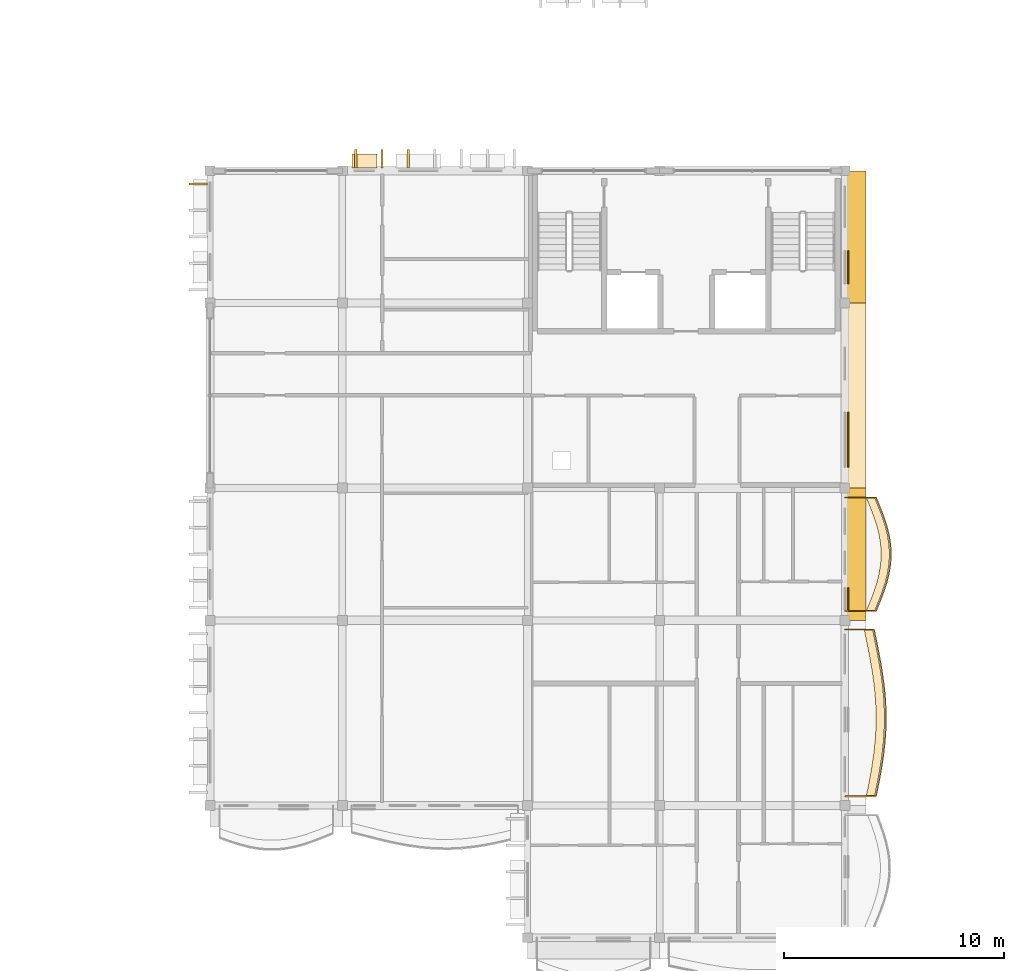
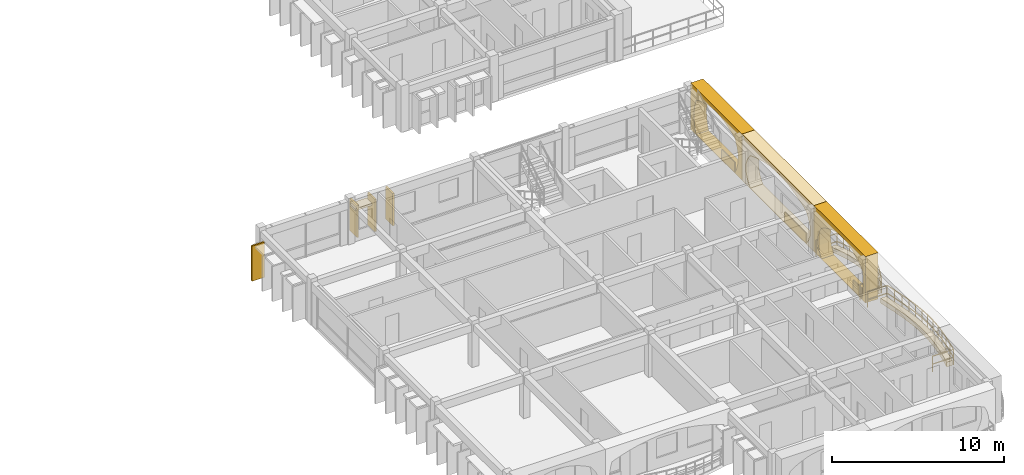
# One storey, part 65 of 68: 13 coverings, 2 railings.
"""IFC4 building model written with IfcOpenShell, lengths in metres."""

from ifc_helpers import new_model, si_unit, direction, frame, origin, origin_2d, place, context, subcontext, project, spatial, polyline, rectangle, outline, extrude, material, layer, layer_set, type_object, element, save


model = new_model("IFC4")

# Units and contexts
model_context = context("Model", 3, precision=1e-05, world=origin(), true_north=direction((0.0, 1.0)))
body_context = subcontext(model_context, "Body", "Model", "MODEL_VIEW")
ifc_project = project(units=[si_unit("LENGTHUNIT", "METRE"), si_unit("AREAUNIT", "SQUARE_METRE"), si_unit("VOLUMEUNIT", "CUBIC_METRE"), si_unit("PLANEANGLEUNIT", "RADIAN"), si_unit("MASSUNIT", "GRAM", prefix="KILO"), si_unit("THERMODYNAMICTEMPERATUREUNIT", "KELVIN")], contexts=[model_context])

# Site, building, storey
site_placement = place(None, origin())
site = spatial("IfcSite", under=ifc_project, at=site_placement, CompositionType="ELEMENT")
building_placement = place(site_placement, origin())
building = spatial("IfcBuilding", under=site, at=building_placement, Name="Thalorik Housing Commons", CompositionType="ELEMENT")
storey_placement = place(building_placement, frame((0.0, 0.0, 24.60009765625)))
storey = spatial("IfcBuildingStorey", under=building, at=storey_placement, Name="L07", CompositionType="ELEMENT", Elevation=24.60009765625)

# Coverings
ifc_material_1 = material(Name="Cobalt blue glazed ceramic facade tile panel", Category="masonry")
ifc_layer_1 = layer(ifc_material_1, 0.06005859375, Name="Cobalt blue glazed ceramic facade tile panel", Category="masonry")
ifc_layer_set_1 = layer_set([ifc_layer_1], Name="Cobalt blue glazed ceramic facade tile panel")
covering_type_1 = type_object("IfcCoveringType", Name="ARC-CLD-BLU-60", PredefinedType="CLADDING", material=ifc_layer_set_1)
covering_1_placement = place(storey_placement, frame((166.952392578125, 67.6298828125, 0.0498046875), z_axis=(0.0, 0.0, 1.0), x_axis=(0.0, 1.0, 0.0)))
element("IfcCovering", 1, at=covering_1_placement, inside=storey, type_object=covering_type_1, Name="L07 De Stijl Recessed Window Spandrel 5043", PredefinedType="CLADDING", context=body_context, shape_type="SweptSolid", body=[
    extrude(rectangle(XDim=1.5, YDim=0.06005859375, at=origin_2d()), origin(), (0.0, 0.0, 1.0), 0.699951171875),
])
ifc_material_2 = material(Name="Precast concrete C40/50", Category="concrete")
ifc_layer_2 = layer(ifc_material_2, 0.85009765625, Name="Precast concrete C40/50", Category="concrete")
ifc_layer_set_2 = layer_set([ifc_layer_2], Name="Precast concrete C40/50")
covering_type_2 = type_object("IfcCoveringType", Name="ARC-CLD-CUSH-850", PredefinedType="CLADDING", material=ifc_layer_set_2)
covering_2_placement = place(storey_placement, frame((167.342529296875, 54.60009765625, 0.0), z_axis=(0.0, 0.0, 1.0), x_axis=(0.0, 1.0, 0.0)))
element("IfcCovering", 2, at=covering_2_placement, inside=storey, type_object=covering_type_2, Name="L07 White Precast Curved Cushion Bay Frame 5038", PredefinedType="CLADDING", context=body_context, shape_type="SweptSolid", body=[
    extrude(outline(polyline([(-3.0, 0.0), (3.0, 0.0), (3.0, 3.300048828125), (-3.0, 3.300048828125), (-3.0, 0.0)]), holes=[polyline([(2.1474609375, 0.02490234375), (2.37109375, 0.387451171875), (2.50537109375, 0.75), (2.550048828125, 1.112548828125), (2.50537109375, 1.47509765625), (2.37109375, 1.83740234375), (2.1474609375, 2.199951171875), (1.753662109375, 2.455810546875), (1.35986328125, 2.656494140625), (0.96630859375, 2.819091796875), (0.572509765625, 2.940185546875), (0.1787109375, 3.014892578125), (-0.215087890625, 3.0400390625), (-0.60888671875, 3.014892578125), (-1.002685546875, 2.940185546875), (-1.396240234375, 2.819091796875), (-1.7900390625, 2.656494140625), (-2.183837890625, 2.455810546875), (-2.57763671875, 2.199951171875), (-2.666748046875, 1.83740234375), (-2.72021484375, 1.47509765625), (-2.738037109375, 1.112548828125), (-2.72021484375, 0.75), (-2.666748046875, 0.387451171875), (-2.57763671875, 0.02490234375), (2.1474609375, 0.02490234375)])]), frame((0.0, 0.425048828125, 0.0), z_axis=(0.0, -1.0, 0.0), x_axis=(1.0, 0.0, 0.0)), (0.0, 0.0, 1.0), 0.85009765625),
])
covering_3_placement = place(storey_placement, frame((167.342529296875, 61.800048828125, 0.0), z_axis=(0.0, 0.0, 1.0), x_axis=(0.0, 1.0, 0.0)))
element("IfcCovering", 3, at=covering_3_placement, inside=storey, type_object=covering_type_2, Name="L07 White Precast Curved Cushion Bay Frame 5040", PredefinedType="CLADDING", context=body_context, shape_type="SweptSolid", body=[
    extrude(outline(polyline([(-4.199951171875, 0.0), (4.199951171875, 0.0), (4.199951171875, 3.300048828125), (-4.199951171875, 3.300048828125), (-4.199951171875, 0.0)]), holes=[polyline([(3.239990234375, 0.02490234375), (3.523193359375, 0.410888671875), (3.693359375, 0.796630859375), (3.75, 1.1826171875), (3.693359375, 1.568359375), (3.523193359375, 1.9541015625), (3.239990234375, 2.340087890625), (2.6953125, 2.552978515625), (2.15087890625, 2.720458984375), (1.606201171875, 2.85595703125), (1.061767578125, 2.956787109375), (0.51708984375, 3.01904296875), (-0.027587890625, 3.0400390625), (-0.572021484375, 3.01904296875), (-1.11669921875, 2.956787109375), (-1.6611328125, 2.85595703125), (-2.205810546875, 2.720458984375), (-2.75048828125, 2.552978515625), (-3.294921875, 2.340087890625), (-3.5478515625, 1.9541015625), (-3.699462890625, 1.568359375), (-3.75, 1.1826171875), (-3.699462890625, 0.796630859375), (-3.5478515625, 0.410888671875), (-3.294921875, 0.02490234375), (3.239990234375, 0.02490234375)])]), frame((0.0, 0.425048828125, 0.0), z_axis=(0.0, -1.0, 0.0), x_axis=(1.0, 0.0, 0.0)), (0.0, 0.0, 1.0), 0.85009765625),
])
covering_4_placement = place(storey_placement, frame((167.342529296875, 69.0, 0.0), z_axis=(0.0, 0.0, 1.0), x_axis=(0.0, 1.0, 0.0)))
element("IfcCovering", 4, at=covering_4_placement, inside=storey, type_object=covering_type_2, Name="L07 White Precast Curved Cushion Bay Frame 5042", PredefinedType="CLADDING", context=body_context, shape_type="SweptSolid", body=[
    extrude(outline(polyline([(-3.0, 0.0), (3.0, 0.0), (3.0, 3.300048828125), (-3.0, 3.300048828125), (-3.0, 0.0)]), holes=[polyline([(2.344970703125, 0.02490234375), (2.4833984375, 0.4326171875), (2.566162109375, 0.840087890625), (2.593994140625, 1.24755859375), (2.566162109375, 1.655029296875), (2.4833984375, 2.0625), (2.344970703125, 2.469970703125), (1.96875, 2.6435546875), (1.592529296875, 2.77978515625), (1.21630859375, 2.89013671875), (0.840087890625, 2.97216796875), (0.463623046875, 3.02294921875), (0.08740234375, 3.0400390625), (-0.288818359375, 3.02294921875), (-0.6650390625, 2.97216796875), (-1.041259765625, 2.89013671875), (-1.41748046875, 2.77978515625), (-1.793701171875, 2.6435546875), (-2.169921875, 2.469970703125), (-2.381103515625, 2.0625), (-2.5078125, 1.655029296875), (-2.550048828125, 1.24755859375), (-2.5078125, 0.840087890625), (-2.381103515625, 0.4326171875), (-2.169921875, 0.02490234375), (2.344970703125, 0.02490234375)])]), frame((0.0, 0.425048828125, 0.0), z_axis=(0.0, -1.0, 0.0), x_axis=(1.0, 0.0, 0.0)), (0.0, 0.0, 1.0), 0.85009765625),
])
ifc_layer_3 = layer(ifc_material_2, 0.85009765625, Name="Precast concrete C40/50", Category="concrete")
ifc_layer_set_3 = layer_set([ifc_layer_3], Name="Precast concrete C40/50")
covering_type_3 = type_object("IfcCoveringType", Name="ARC-CLD-FIN-850", PredefinedType="CLADDING", material=ifc_layer_set_3)
for number, where, z_axis, x_axis, name in (
    (5, (147.0, 72.54248046875, 0.0400390625), (0.0, 0.0, 1.0), (-1.0, 0.0, 0.0), "L07 Courtyard Precast Vertical Brise-Soleil Fin 4990"),
    (6, (145.800048828125, 72.54248046875, 0.0400390625), (0.0, 0.0, 1.0), (-1.0, 0.0, 0.0), "L07 Courtyard Precast Vertical Brise-Soleil Fin 4991"),
    (7, (144.60009765625, 72.54248046875, 0.0400390625), (0.0, 0.0, 1.0), (-1.0, 0.0, 0.0), "L07 Courtyard Precast Vertical Brise-Soleil Fin 4992"),
):
    element("IfcCovering", number, at=place(storey_placement, frame(where, z_axis=z_axis, x_axis=x_axis)), inside=storey, type_object=covering_type_3, Name=name, PredefinedType="CLADDING", context=body_context, shape_type="SweptSolid", body=[
        extrude(rectangle(XDim=0.110107421875, YDim=0.85009765625, at=origin_2d()), origin(), (0.0, 0.0, 1.0), 2.294921875),
    ])
covering_5_placement = place(storey_placement, frame((137.45751953125, 71.39990234375, 0.039794921875), z_axis=(0.0, 0.0, 1.0), x_axis=(0.0, -1.0, 0.0)))
element("IfcCovering", 8, at=covering_5_placement, inside=storey, type_object=covering_type_3, Name="L07 Courtyard Precast Vertical Brise-Soleil Fin 4996", PredefinedType="CLADDING", context=body_context, shape_type="SweptSolid", body=[
    extrude(rectangle(XDim=0.110107421875, YDim=0.85009765625, at=origin_2d()), origin(), (0.0, 0.0, 1.0), 2.4951171875),
])
ifc_layer_4 = layer(ifc_material_2, 0.64990234375, Name="Precast concrete C40/50", Category="concrete")
ifc_layer_set_4 = layer_set([ifc_layer_4], Name="Precast concrete C40/50")
covering_type_4 = type_object("IfcCoveringType", Name="ARC-CLD-HOOD-650", PredefinedType="CLADDING", material=ifc_layer_set_4)
covering_6_placement = place(storey_placement, frame((145.000244140625, 72.4423828125, 1.98974609375), z_axis=(0.0, 0.0, 1.0), x_axis=(-1.0, 0.0, 0.0)))
element("IfcCovering", 9, at=covering_6_placement, inside=storey, type_object=covering_type_4, Name="L07 Courtyard Precast Window Sun-Hood 4995", PredefinedType="CLADDING", context=body_context, shape_type="SweptSolid", body=[
    extrude(rectangle(XDim=1.139892578125, YDim=0.64990234375, at=origin_2d()), origin(), (0.0, 0.0, 1.0), 0.139892578125),
])
ifc_material_3 = material(Name="Terracotta red mineral fibre-cement panel", Category="masonry")
ifc_layer_5 = layer(ifc_material_3, 0.054931640625, Name="Terracotta red mineral fibre-cement panel", Category="masonry")
ifc_layer_set_5 = layer_set([ifc_layer_5], Name="Terracotta red mineral fibre-cement panel")
covering_type_5 = type_object("IfcCoveringType", Name="ARC-CLD-RED-55", PredefinedType="CLADDING", material=ifc_layer_set_5)
covering_7_placement = place(storey_placement, frame((166.949951171875, 59.794921875, 0.0498046875), z_axis=(0.0, 0.0, 1.0), x_axis=(0.0, 1.0, 0.0)))
element("IfcCovering", 10, at=covering_7_placement, inside=storey, type_object=covering_type_5, Name="L07 De Stijl Recessed Window Spandrel 5041", PredefinedType="CLADDING", context=body_context, shape_type="SweptSolid", body=[
    extrude(rectangle(XDim=2.47998046875, YDim=0.054931640625, at=origin_2d()), origin(), (0.0, 0.0, 1.0), 0.699951171875),
])
ifc_material_4 = material(Name="Mineral ochre architectural terracotta panel", Category="masonry")
ifc_layer_6 = layer(ifc_material_4, 0.06494140625, Name="Mineral ochre architectural terracotta panel", Category="masonry")
ifc_layer_set_6 = layer_set([ifc_layer_6], Name="Mineral ochre architectural terracotta panel")
covering_type_6 = type_object("IfcCoveringType", Name="ARC-CLD-YEL-65", PredefinedType="CLADDING", material=ifc_layer_set_6)
covering_8_placement = place(storey_placement, frame((166.955078125, 52.572509765625, 0.0498046875), z_axis=(0.0, 0.0, 1.0), x_axis=(0.0, 1.0, 0.0)))
element("IfcCovering", 11, at=covering_8_placement, inside=storey, type_object=covering_type_6, Name="L07 De Stijl Recessed Window Spandrel 5039", PredefinedType="CLADDING", context=body_context, shape_type="SweptSolid", body=[
    extrude(rectangle(XDim=1.0, YDim=0.06494140625, at=origin_2d()), origin(), (0.0, 0.0, 1.0), 0.699951171875),
])
ifc_material_5 = material(Name="Planted vegetated substrate and terracotta trough", Category="masonry")
ifc_layer_7 = layer(ifc_material_5, 0.340087890625, Name="Planted vegetated substrate and terracotta trough", Category="masonry")
ifc_layer_set_7 = layer_set([ifc_layer_7], Name="Planted vegetated substrate and terracotta trough")
covering_type_7 = type_object("IfcCoveringType", Name="ARC-COV-PLANTER", PredefinedType="USERDEFINED", material=ifc_layer_set_7)
covering_9_placement = place(storey_placement, origin())
element("IfcCovering", 12, at=covering_9_placement, inside=storey, type_object=covering_type_7, Name="L07 Balcony Slab-Edge Planted Trough 5690", ObjectType="PLANTER", PredefinedType="USERDEFINED", context=body_context, shape_type="SweptSolid", body=[
    extrude(outline(polyline([(168.153076171875, 43.6201171875), (168.280517578125, 44.25), (168.395751953125, 44.8798828125), (168.490478515625, 45.510009765625), (168.55908203125, 46.139892578125), (168.5966796875, 46.77001953125), (168.60107421875, 47.39990234375), (168.572021484375, 48.030029296875), (168.511474609375, 48.659912109375), (168.423583984375, 49.2900390625), (168.314453125, 49.919921875), (168.19140625, 50.550048828125), (168.062255859375, 51.179931640625), (167.68212890625, 51.179931640625), (167.811279296875, 50.550048828125), (167.9345703125, 49.919921875), (168.043701171875, 49.2900390625), (168.131591796875, 48.659912109375), (168.19189453125, 48.030029296875), (168.22119140625, 47.39990234375), (168.216796875, 46.77001953125), (168.17919921875, 46.139892578125), (168.110595703125, 45.510009765625), (168.015625, 44.8798828125), (167.900634765625, 44.25), (167.77294921875, 43.6201171875), (168.153076171875, 43.6201171875)])), origin(), (0.0, 0.0, 1.0), 0.33984375),
])
covering_10_placement = place(storey_placement, origin())
element("IfcCovering", 13, at=covering_10_placement, inside=storey, type_object=covering_type_7, Name="L07 Balcony Slab-Edge Planted Trough 5691", ObjectType="PLANTER", PredefinedType="USERDEFINED", context=body_context, shape_type="SweptSolid", body=[
    extrude(outline(polyline([(168.150146484375, 52.02001953125), (168.327880859375, 52.449951171875), (168.491943359375, 52.8798828125), (168.63232421875, 53.31005859375), (168.73974609375, 53.739990234375), (168.80712890625, 54.169921875), (168.830078125, 54.60009765625), (168.80712890625, 55.030029296875), (168.73974609375, 55.4599609375), (168.63232421875, 55.889892578125), (168.491943359375, 56.320068359375), (168.327880859375, 56.75), (168.150146484375, 57.179931640625), (167.770263671875, 57.179931640625), (167.94775390625, 56.75), (168.112060546875, 56.320068359375), (168.25244140625, 55.889892578125), (168.359619140625, 55.4599609375), (168.427001953125, 55.030029296875), (168.449951171875, 54.60009765625), (168.427001953125, 54.169921875), (168.359619140625, 53.739990234375), (168.25244140625, 53.31005859375), (168.112060546875, 52.8798828125), (167.94775390625, 52.449951171875), (167.770263671875, 52.02001953125), (168.150146484375, 52.02001953125)])), origin(), (0.0, 0.0, 1.0), 0.33984375),
])

# Railings
ifc_material_6 = material(Name="Steel S355", Category="steel")
railing_type_1 = type_object("IfcRailingType", Name="ARC-RL-BAL-112", PredefinedType="BALUSTRADE", material=ifc_material_6)
railing_1_placement = place(storey_placement, frame((166.800048828125, 43.6201171875, 0.0)))
element("IfcRailing", 14, at=railing_1_placement, inside=storey, type_object=railing_type_1, Name="L07 Cushion Balcony Guardrail 374", PredefinedType="BALUSTRADE", context=body_context, shape_type="SweptSolid", body=[
    extrude(rectangle(XDim=0.050048828125, YDim=0.050048828125, at=origin_2d()), frame((0.0, 0.0, 1.09521484375), z_axis=(1.0, 0.0, 0.0), x_axis=(0.0, 1.0, 0.0)), (0.0, 0.0, 1.0), 1.4228515625),
    extrude(rectangle(XDim=0.050048828125, YDim=0.050048828125, at=origin_2d()), frame((0.0, 0.0, 0.53515625), z_axis=(1.0, 0.0, 0.0), x_axis=(0.0, 1.0, 0.0)), (0.0, 0.0, 1.0), 1.4228515625),
    extrude(rectangle(XDim=0.050048828125, YDim=0.050048828125, at=origin_2d()), frame((1.4228515625, 0.0, 1.09521484375), z_axis=(0.19867228936, 0.980065978106, 0.0), x_axis=(-0.980065978106, 0.19867228936, 0.0)), (0.0, 0.0, 1.0), 0.642578125),
    extrude(rectangle(XDim=0.050048828125, YDim=0.050048828125, at=origin_2d()), frame((1.4228515625, 0.0, 0.53515625), z_axis=(0.19867228936, 0.980065978106, 0.0), x_axis=(-0.980065978106, 0.19867228936, 0.0)), (0.0, 0.0, 1.0), 0.642578125),
    extrude(rectangle(XDim=0.050048828125, YDim=0.050048828125, at=origin_2d()), frame((1.550537109375, 0.6298828125, 1.09521484375), z_axis=(0.179958985295, 0.983674114538, 0.0), x_axis=(-0.983674114538, 0.179958985295, 0.0)), (0.0, 0.0, 1.0), 0.640380859375),
    extrude(rectangle(XDim=0.050048828125, YDim=0.050048828125, at=origin_2d()), frame((1.550537109375, 0.6298828125, 0.53515625), z_axis=(0.179958985295, 0.983674114538, 0.0), x_axis=(-0.983674114538, 0.179958985295, 0.0)), (0.0, 0.0, 1.0), 0.640380859375),
    extrude(rectangle(XDim=0.050048828125, YDim=0.050048828125, at=origin_2d()), frame((1.665771484375, 1.259765625, 1.09521484375), z_axis=(0.148658949274, 0.988888525973, 0.0), x_axis=(-0.988888525973, 0.148658949274, 0.0)), (0.0, 0.0, 1.0), 0.63720703125),
    extrude(rectangle(XDim=0.050048828125, YDim=0.050048828125, at=origin_2d()), frame((1.665771484375, 1.259765625, 0.53515625), z_axis=(0.148658949274, 0.988888525973, 0.0), x_axis=(-0.988888525973, 0.148658949274, 0.0)), (0.0, 0.0, 1.0), 0.63720703125),
    extrude(rectangle(XDim=0.050048828125, YDim=0.050048828125, at=origin_2d()), frame((1.760498046875, 1.889892578125, 1.09521484375), z_axis=(0.108274423732, 0.994121043518, 0.0), x_axis=(-0.994121043518, 0.108274423732, 0.0)), (0.0, 0.0, 1.0), 0.633544921875),
    extrude(rectangle(XDim=0.050048828125, YDim=0.050048828125, at=origin_2d()), frame((1.760498046875, 1.889892578125, 0.53515625), z_axis=(0.108274423732, 0.994121043518, 0.0), x_axis=(-0.994121043518, 0.108274423732, 0.0)), (0.0, 0.0, 1.0), 0.633544921875),
    extrude(rectangle(XDim=0.050048828125, YDim=0.050048828125, at=origin_2d()), frame((1.8291015625, 2.519775390625, 1.09521484375), z_axis=(0.059560867898, 0.998224675619, 0.0), x_axis=(-0.998224675619, 0.059560867898, 0.0)), (0.0, 0.0, 1.0), 0.63134765625),
    extrude(rectangle(XDim=0.050048828125, YDim=0.050048828125, at=origin_2d()), frame((1.8291015625, 2.519775390625, 0.53515625), z_axis=(0.059560867898, 0.998224675619, 0.0), x_axis=(-0.998224675619, 0.059560867898, 0.0)), (0.0, 0.0, 1.0), 0.63134765625),
    extrude(rectangle(XDim=0.050048828125, YDim=0.050048828125, at=origin_2d()), frame((1.86669921875, 3.14990234375, 1.09521484375), z_axis=(0.006976574396, 0.999975663409, 0.0), x_axis=(-0.999975663409, 0.006976574396, 0.0)), (0.0, 0.0, 1.0), 0.6298828125),
    extrude(rectangle(XDim=0.050048828125, YDim=0.050048828125, at=origin_2d()), frame((1.86669921875, 3.14990234375, 0.53515625), z_axis=(0.006976574396, 0.999975663409, 0.0), x_axis=(-0.999975663409, 0.006976574396, 0.0)), (0.0, 0.0, 1.0), 0.6298828125),
    extrude(rectangle(XDim=0.050048828125, YDim=0.050048828125, at=origin_2d()), frame((1.87109375, 3.77978515625, 1.09521484375), z_axis=(-0.046057232665, 0.99893880259, 0.0), x_axis=(-0.99893880259, -0.046057232665, 0.0)), (0.0, 0.0, 1.0), 0.630859375),
    extrude(rectangle(XDim=0.050048828125, YDim=0.050048828125, at=origin_2d()), frame((1.87109375, 3.77978515625, 0.53515625), z_axis=(-0.046057232665, 0.99893880259, 0.0), x_axis=(-0.99893880259, -0.046057232665, 0.0)), (0.0, 0.0, 1.0), 0.630859375),
    extrude(rectangle(XDim=0.050048828125, YDim=0.050048828125, at=origin_2d()), frame((1.842041015625, 4.409912109375, 1.09521484375), z_axis=(-0.095683000132, 0.995411856211, 0.0), x_axis=(-0.995411856211, -0.095683000132, 0.0)), (0.0, 0.0, 1.0), 0.6328125),
    extrude(rectangle(XDim=0.050048828125, YDim=0.050048828125, at=origin_2d()), frame((1.842041015625, 4.409912109375, 0.53515625), z_axis=(-0.095683000132, 0.995411856211, 0.0), x_axis=(-0.995411856211, -0.095683000132, 0.0)), (0.0, 0.0, 1.0), 0.6328125),
    extrude(rectangle(XDim=0.050048828125, YDim=0.050048828125, at=origin_2d()), frame((1.781494140625, 5.039794921875, 1.09521484375), z_axis=(-0.138143510312, 0.990412222541, 0.0), x_axis=(-0.990412222541, -0.138143510312, 0.0)), (0.0, 0.0, 1.0), 0.63623046875),
    extrude(rectangle(XDim=0.050048828125, YDim=0.050048828125, at=origin_2d()), frame((1.781494140625, 5.039794921875, 0.53515625), z_axis=(-0.138143510312, 0.990412222541, 0.0), x_axis=(-0.990412222541, -0.138143510312, 0.0)), (0.0, 0.0, 1.0), 0.63623046875),
    extrude(rectangle(XDim=0.050048828125, YDim=0.050048828125, at=origin_2d()), frame((1.693603515625, 5.669921875, 1.09521484375), z_axis=(-0.170712569492, 0.985320870893, 0.0), x_axis=(-0.985320870893, -0.170712569492, 0.0)), (0.0, 0.0, 1.0), 0.63916015625),
    extrude(rectangle(XDim=0.050048828125, YDim=0.050048828125, at=origin_2d()), frame((1.693603515625, 5.669921875, 0.53515625), z_axis=(-0.170712569492, 0.985320870893, 0.0), x_axis=(-0.985320870893, -0.170712569492, 0.0)), (0.0, 0.0, 1.0), 0.63916015625),
    extrude(rectangle(XDim=0.050048828125, YDim=0.050048828125, at=origin_2d()), frame((1.58447265625, 6.2998046875, 1.09521484375), z_axis=(-0.192019567641, 0.98139109719, 0.0), x_axis=(-0.98139109719, -0.192019567641, 0.0)), (0.0, 0.0, 1.0), 0.64208984375),
    extrude(rectangle(XDim=0.050048828125, YDim=0.050048828125, at=origin_2d()), frame((1.58447265625, 6.2998046875, 0.53515625), z_axis=(-0.192019567641, 0.98139109719, 0.0), x_axis=(-0.98139109719, -0.192019567641, 0.0)), (0.0, 0.0, 1.0), 0.64208984375),
    extrude(rectangle(XDim=0.050048828125, YDim=0.050048828125, at=origin_2d()), frame((1.461181640625, 6.929931640625, 1.09521484375), z_axis=(-0.200860058517, 0.979619945128, 0.0), x_axis=(-0.979619945128, -0.200860058517, 0.0)), (0.0, 0.0, 1.0), 0.64306640625),
    extrude(rectangle(XDim=0.050048828125, YDim=0.050048828125, at=origin_2d()), frame((1.461181640625, 6.929931640625, 0.53515625), z_axis=(-0.200860058517, 0.979619945128, 0.0), x_axis=(-0.979619945128, -0.200860058517, 0.0)), (0.0, 0.0, 1.0), 0.64306640625),
    extrude(rectangle(XDim=0.050048828125, YDim=0.050048828125, at=origin_2d()), frame((1.33203125, 7.559814453125, 1.09521484375), z_axis=(-1.0, 0.0, 0.0), x_axis=(0.0, -1.0, 0.0)), (0.0, 0.0, 1.0), 1.33203125),
    extrude(rectangle(XDim=0.050048828125, YDim=0.050048828125, at=origin_2d()), frame((1.33203125, 7.559814453125, 0.53515625), z_axis=(-1.0, 0.0, 0.0), x_axis=(0.0, -1.0, 0.0)), (0.0, 0.0, 1.0), 1.33203125),
    extrude(rectangle(XDim=0.0419921875, YDim=0.0419921875, at=origin_2d()), origin(), (0.0, 0.0, 1.0), 1.070068359375),
    extrude(rectangle(XDim=0.0419921875, YDim=0.0419921875, at=origin_2d()), frame((1.4228515625, 0.0, 0.0)), (0.0, 0.0, 1.0), 1.070068359375),
    extrude(rectangle(XDim=0.0419921875, YDim=0.0419921875, at=origin_2d()), frame((1.550537109375, 0.6298828125, 0.0)), (0.0, 0.0, 1.0), 1.070068359375),
    extrude(rectangle(XDim=0.0419921875, YDim=0.0419921875, at=origin_2d()), frame((1.665771484375, 1.259765625, 0.0)), (0.0, 0.0, 1.0), 1.070068359375),
    extrude(rectangle(XDim=0.0419921875, YDim=0.0419921875, at=origin_2d()), frame((1.760498046875, 1.889892578125, 0.0)), (0.0, 0.0, 1.0), 1.070068359375),
    extrude(rectangle(XDim=0.0419921875, YDim=0.0419921875, at=origin_2d()), frame((1.8291015625, 2.519775390625, 0.0)), (0.0, 0.0, 1.0), 1.070068359375),
    extrude(rectangle(XDim=0.0419921875, YDim=0.0419921875, at=origin_2d()), frame((1.86669921875, 3.14990234375, 0.0)), (0.0, 0.0, 1.0), 1.070068359375),
    extrude(rectangle(XDim=0.0419921875, YDim=0.0419921875, at=origin_2d()), frame((1.87109375, 3.77978515625, 0.0)), (0.0, 0.0, 1.0), 1.070068359375),
    extrude(rectangle(XDim=0.0419921875, YDim=0.0419921875, at=origin_2d()), frame((1.842041015625, 4.409912109375, 0.0)), (0.0, 0.0, 1.0), 1.070068359375),
    extrude(rectangle(XDim=0.0419921875, YDim=0.0419921875, at=origin_2d()), frame((1.781494140625, 5.039794921875, 0.0)), (0.0, 0.0, 1.0), 1.070068359375),
    extrude(rectangle(XDim=0.0419921875, YDim=0.0419921875, at=origin_2d()), frame((1.693603515625, 5.669921875, 0.0)), (0.0, 0.0, 1.0), 1.070068359375),
    extrude(rectangle(XDim=0.0419921875, YDim=0.0419921875, at=origin_2d()), frame((1.58447265625, 6.2998046875, 0.0)), (0.0, 0.0, 1.0), 1.070068359375),
    extrude(rectangle(XDim=0.0419921875, YDim=0.0419921875, at=origin_2d()), frame((1.461181640625, 6.929931640625, 0.0)), (0.0, 0.0, 1.0), 1.070068359375),
    extrude(rectangle(XDim=0.0419921875, YDim=0.0419921875, at=origin_2d()), frame((1.33203125, 7.559814453125, 0.0)), (0.0, 0.0, 1.0), 1.070068359375),
    extrude(rectangle(XDim=0.0419921875, YDim=0.0419921875, at=origin_2d()), frame((0.0, 7.559814453125, 0.0)), (0.0, 0.0, 1.0), 1.070068359375),
])
railing_type_2 = type_object("IfcRailingType", Name="ARC-RL-BAL-115", PredefinedType="BALUSTRADE", material=ifc_material_6)
railing_2_placement = place(storey_placement, frame((166.800048828125, 52.02001953125, 0.0)))
element("IfcRailing", 15, at=railing_2_placement, inside=storey, type_object=railing_type_2, Name="L07 Cushion Balcony Guardrail 375", PredefinedType="BALUSTRADE", context=body_context, shape_type="SweptSolid", body=[
    extrude(rectangle(XDim=0.050048828125, YDim=0.050048828125, at=origin_2d()), frame((0.0, 0.0, 1.125), z_axis=(1.0, 0.0, 0.0), x_axis=(0.0, 1.0, 0.0)), (0.0, 0.0, 1.0), 1.420166015625),
    extrude(rectangle(XDim=0.050048828125, YDim=0.050048828125, at=origin_2d()), frame((0.0, 0.0, 0.5498046875), z_axis=(1.0, 0.0, 0.0), x_axis=(0.0, 1.0, 0.0)), (0.0, 0.0, 1.0), 1.420166015625),
    extrude(rectangle(XDim=0.050048828125, YDim=0.050048828125, at=origin_2d()), frame((1.420166015625, 0.0, 1.125), z_axis=(0.381594438416, 0.924329857015, 0.0), x_axis=(-0.924329857015, 0.381594438416, 0.0)), (0.0, 0.0, 1.0), 0.465087890625),
    extrude(rectangle(XDim=0.050048828125, YDim=0.050048828125, at=origin_2d()), frame((1.420166015625, 0.0, 0.5498046875), z_axis=(0.381594438416, 0.924329857015, 0.0), x_axis=(-0.924329857015, 0.381594438416, 0.0)), (0.0, 0.0, 1.0), 0.465087890625),
    extrude(rectangle(XDim=0.050048828125, YDim=0.050048828125, at=origin_2d()), frame((1.59765625, 0.429931640625, 1.125), z_axis=(0.356987736804, 0.934109070597, 0.0), x_axis=(-0.934109070597, 0.356987736804, 0.0)), (0.0, 0.0, 1.0), 0.460205078125),
    extrude(rectangle(XDim=0.050048828125, YDim=0.050048828125, at=origin_2d()), frame((1.59765625, 0.429931640625, 0.5498046875), z_axis=(0.356987736804, 0.934109070597, 0.0), x_axis=(-0.934109070597, 0.356987736804, 0.0)), (0.0, 0.0, 1.0), 0.460205078125),
    extrude(rectangle(XDim=0.050048828125, YDim=0.050048828125, at=origin_2d()), frame((1.761962890625, 0.85986328125, 1.125), z_axis=(0.310232626381, 0.950660674231, 0.0), x_axis=(-0.950660674231, 0.310232626381, 0.0)), (0.0, 0.0, 1.0), 0.452392578125),
    extrude(rectangle(XDim=0.050048828125, YDim=0.050048828125, at=origin_2d()), frame((1.761962890625, 0.85986328125, 0.5498046875), z_axis=(0.310232626381, 0.950660674231, 0.0), x_axis=(-0.950660674231, 0.310232626381, 0.0)), (0.0, 0.0, 1.0), 0.452392578125),
    extrude(rectangle(XDim=0.050048828125, YDim=0.050048828125, at=origin_2d()), frame((1.90234375, 1.2900390625, 1.125), z_axis=(0.242405993997, 0.970174898703, 0.0), x_axis=(-0.970174898703, 0.242405993997, 0.0)), (0.0, 0.0, 1.0), 0.443115234375),
    extrude(rectangle(XDim=0.050048828125, YDim=0.050048828125, at=origin_2d()), frame((1.90234375, 1.2900390625, 0.5498046875), z_axis=(0.242405993997, 0.970174898703, 0.0), x_axis=(-0.970174898703, 0.242405993997, 0.0)), (0.0, 0.0, 1.0), 0.443115234375),
    extrude(rectangle(XDim=0.050048828125, YDim=0.050048828125, at=origin_2d()), frame((2.009765625, 1.719970703125, 1.125), z_axis=(0.154838935067, 0.987939727001, 0.0), x_axis=(-0.987939727001, 0.154838935067, 0.0)), (0.0, 0.0, 1.0), 0.43505859375),
    extrude(rectangle(XDim=0.050048828125, YDim=0.050048828125, at=origin_2d()), frame((2.009765625, 1.719970703125, 0.5498046875), z_axis=(0.154838935067, 0.987939727001, 0.0), x_axis=(-0.987939727001, 0.154838935067, 0.0)), (0.0, 0.0, 1.0), 0.43505859375),
    extrude(rectangle(XDim=0.050048828125, YDim=0.050048828125, at=origin_2d()), frame((2.0771484375, 2.14990234375, 1.125), z_axis=(0.052707564752, 0.998609990245, 0.0), x_axis=(-0.998609990245, 0.052707564752, 0.0)), (0.0, 0.0, 1.0), 0.4306640625),
    extrude(rectangle(XDim=0.050048828125, YDim=0.050048828125, at=origin_2d()), frame((2.0771484375, 2.14990234375, 0.5498046875), z_axis=(0.052707564752, 0.998609990245, 0.0), x_axis=(-0.998609990245, 0.052707564752, 0.0)), (0.0, 0.0, 1.0), 0.4306640625),
    extrude(rectangle(XDim=0.050048828125, YDim=0.050048828125, at=origin_2d()), frame((2.099853515625, 2.580078125, 1.125), z_axis=(-0.052737412006, 0.998608414432, 0.0), x_axis=(-0.998608414432, -0.052737412006, 0.0)), (0.0, 0.0, 1.0), 0.430419921875),
    extrude(rectangle(XDim=0.050048828125, YDim=0.050048828125, at=origin_2d()), frame((2.099853515625, 2.580078125, 0.5498046875), z_axis=(-0.052737412006, 0.998608414432, 0.0), x_axis=(-0.998608414432, -0.052737412006, 0.0)), (0.0, 0.0, 1.0), 0.430419921875),
    extrude(rectangle(XDim=0.050048828125, YDim=0.050048828125, at=origin_2d()), frame((2.0771484375, 3.010009765625, 1.125), z_axis=(-0.154838935067, 0.987939727001, 0.0), x_axis=(-0.987939727001, -0.154838935067, 0.0)), (0.0, 0.0, 1.0), 0.43505859375),
    extrude(rectangle(XDim=0.050048828125, YDim=0.050048828125, at=origin_2d()), frame((2.0771484375, 3.010009765625, 0.5498046875), z_axis=(-0.154838935067, 0.987939727001, 0.0), x_axis=(-0.987939727001, -0.154838935067, 0.0)), (0.0, 0.0, 1.0), 0.43505859375),
    extrude(rectangle(XDim=0.050048828125, YDim=0.050048828125, at=origin_2d()), frame((2.009765625, 3.43994140625, 1.125), z_axis=(-0.242405993997, 0.970174898703, 0.0), x_axis=(-0.970174898703, -0.242405993997, 0.0)), (0.0, 0.0, 1.0), 0.443115234375),
    extrude(rectangle(XDim=0.050048828125, YDim=0.050048828125, at=origin_2d()), frame((2.009765625, 3.43994140625, 0.5498046875), z_axis=(-0.242405993997, 0.970174898703, 0.0), x_axis=(-0.970174898703, -0.242405993997, 0.0)), (0.0, 0.0, 1.0), 0.443115234375),
    extrude(rectangle(XDim=0.050048828125, YDim=0.050048828125, at=origin_2d()), frame((1.90234375, 3.869873046875, 1.125), z_axis=(-0.310232626381, 0.950660674231, 0.0), x_axis=(-0.950660674231, -0.310232626381, 0.0)), (0.0, 0.0, 1.0), 0.452392578125),
    extrude(rectangle(XDim=0.050048828125, YDim=0.050048828125, at=origin_2d()), frame((1.90234375, 3.869873046875, 0.5498046875), z_axis=(-0.310232626381, 0.950660674231, 0.0), x_axis=(-0.950660674231, -0.310232626381, 0.0)), (0.0, 0.0, 1.0), 0.452392578125),
    extrude(rectangle(XDim=0.050048828125, YDim=0.050048828125, at=origin_2d()), frame((1.761962890625, 4.300048828125, 1.125), z_axis=(-0.356987736804, 0.934109070597, 0.0), x_axis=(-0.934109070597, -0.356987736804, 0.0)), (0.0, 0.0, 1.0), 0.460205078125),
    extrude(rectangle(XDim=0.050048828125, YDim=0.050048828125, at=origin_2d()), frame((1.761962890625, 4.300048828125, 0.5498046875), z_axis=(-0.356987736804, 0.934109070597, 0.0), x_axis=(-0.934109070597, -0.356987736804, 0.0)), (0.0, 0.0, 1.0), 0.460205078125),
    extrude(rectangle(XDim=0.050048828125, YDim=0.050048828125, at=origin_2d()), frame((1.59765625, 4.72998046875, 1.125), z_axis=(-0.381594438416, 0.924329857015, 0.0), x_axis=(-0.924329857015, -0.381594438416, 0.0)), (0.0, 0.0, 1.0), 0.465087890625),
    extrude(rectangle(XDim=0.050048828125, YDim=0.050048828125, at=origin_2d()), frame((1.59765625, 4.72998046875, 0.5498046875), z_axis=(-0.381594438416, 0.924329857015, 0.0), x_axis=(-0.924329857015, -0.381594438416, 0.0)), (0.0, 0.0, 1.0), 0.465087890625),
    extrude(rectangle(XDim=0.050048828125, YDim=0.050048828125, at=origin_2d()), frame((1.420166015625, 5.159912109375, 1.125), z_axis=(-1.0, 0.0, 0.0), x_axis=(0.0, -1.0, 0.0)), (0.0, 0.0, 1.0), 1.420166015625),
    extrude(rectangle(XDim=0.050048828125, YDim=0.050048828125, at=origin_2d()), frame((1.420166015625, 5.159912109375, 0.5498046875), z_axis=(-1.0, 0.0, 0.0), x_axis=(0.0, -1.0, 0.0)), (0.0, 0.0, 1.0), 1.420166015625),
    extrude(rectangle(XDim=0.0419921875, YDim=0.0419921875, at=origin_2d()), origin(), (0.0, 0.0, 1.0), 1.099853515625),
    extrude(rectangle(XDim=0.0419921875, YDim=0.0419921875, at=origin_2d()), frame((1.420166015625, 0.0, 0.0)), (0.0, 0.0, 1.0), 1.099853515625),
    extrude(rectangle(XDim=0.0419921875, YDim=0.0419921875, at=origin_2d()), frame((1.59765625, 0.429931640625, 0.0)), (0.0, 0.0, 1.0), 1.099853515625),
    extrude(rectangle(XDim=0.0419921875, YDim=0.0419921875, at=origin_2d()), frame((1.761962890625, 0.85986328125, 0.0)), (0.0, 0.0, 1.0), 1.099853515625),
    extrude(rectangle(XDim=0.0419921875, YDim=0.0419921875, at=origin_2d()), frame((1.90234375, 1.2900390625, 0.0)), (0.0, 0.0, 1.0), 1.099853515625),
    extrude(rectangle(XDim=0.0419921875, YDim=0.0419921875, at=origin_2d()), frame((2.009765625, 1.719970703125, 0.0)), (0.0, 0.0, 1.0), 1.099853515625),
    extrude(rectangle(XDim=0.0419921875, YDim=0.0419921875, at=origin_2d()), frame((2.0771484375, 2.14990234375, 0.0)), (0.0, 0.0, 1.0), 1.099853515625),
    extrude(rectangle(XDim=0.0419921875, YDim=0.0419921875, at=origin_2d()), frame((2.099853515625, 2.580078125, 0.0)), (0.0, 0.0, 1.0), 1.099853515625),
    extrude(rectangle(XDim=0.0419921875, YDim=0.0419921875, at=origin_2d()), frame((2.0771484375, 3.010009765625, 0.0)), (0.0, 0.0, 1.0), 1.099853515625),
    extrude(rectangle(XDim=0.0419921875, YDim=0.0419921875, at=origin_2d()), frame((2.009765625, 3.43994140625, 0.0)), (0.0, 0.0, 1.0), 1.099853515625),
    extrude(rectangle(XDim=0.0419921875, YDim=0.0419921875, at=origin_2d()), frame((1.90234375, 3.869873046875, 0.0)), (0.0, 0.0, 1.0), 1.099853515625),
    extrude(rectangle(XDim=0.0419921875, YDim=0.0419921875, at=origin_2d()), frame((1.761962890625, 4.300048828125, 0.0)), (0.0, 0.0, 1.0), 1.099853515625),
    extrude(rectangle(XDim=0.0419921875, YDim=0.0419921875, at=origin_2d()), frame((1.59765625, 4.72998046875, 0.0)), (0.0, 0.0, 1.0), 1.099853515625),
    extrude(rectangle(XDim=0.0419921875, YDim=0.0419921875, at=origin_2d()), frame((1.420166015625, 5.159912109375, 0.0)), (0.0, 0.0, 1.0), 1.099853515625),
    extrude(rectangle(XDim=0.0419921875, YDim=0.0419921875, at=origin_2d()), frame((0.0, 5.159912109375, 0.0)), (0.0, 0.0, 1.0), 1.099853515625),
])

save(model, "model.ifc")
